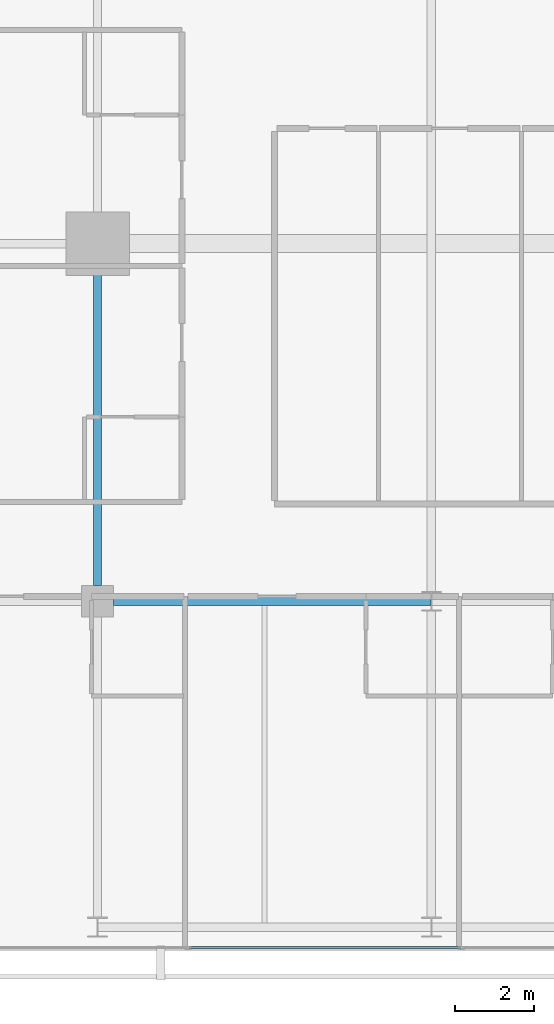
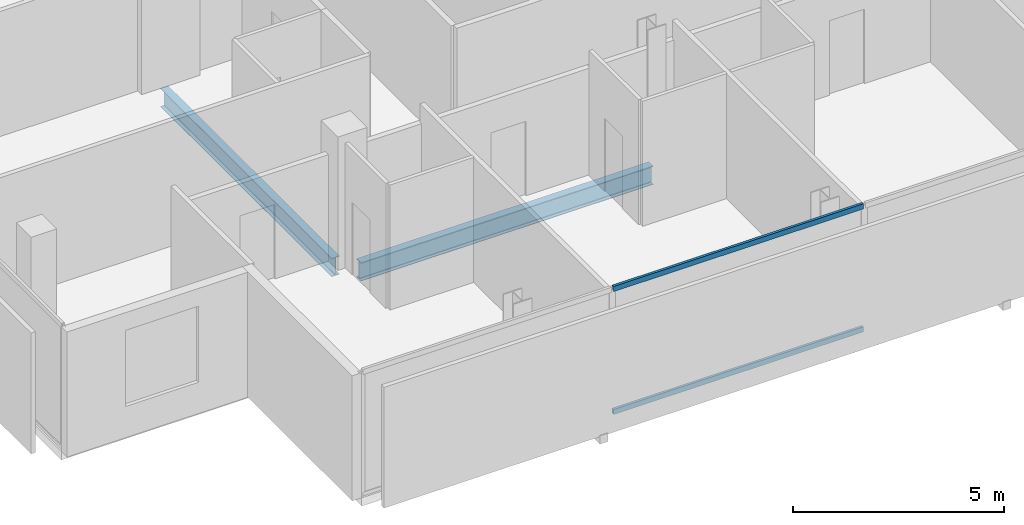
# One storey, part 5 of 25: 2 beams, 2 members, 1 element without a shape of its own.
"""IFC4 building model written with IfcOpenShell, lengths in metres."""

from ifc_helpers import new_model, si_unit, direction, frame, origin, origin_2d, place, context, subcontext, project, spatial, hollow_rectangle, i_section, extrude, material, layer, layer_set, material_profile, profile_set, type_object, element, aggregate, save


model = new_model("IFC4")

# Units and contexts
model_context = context("Model", 3, precision=1e-05, world=origin(), true_north=direction((0.0, 1.0)))
body_context = subcontext(model_context, "Body", "Model", "MODEL_VIEW")
ifc_project = project(units=[si_unit("LENGTHUNIT", "METRE"), si_unit("AREAUNIT", "SQUARE_METRE"), si_unit("VOLUMEUNIT", "CUBIC_METRE"), si_unit("PLANEANGLEUNIT", "RADIAN"), si_unit("MASSUNIT", "GRAM", prefix="KILO")], contexts=[model_context])

# Site, building, storey
site_placement = place(None, origin())
site = spatial("IfcSite", under=ifc_project, at=site_placement, CompositionType="ELEMENT")
building_placement = place(site_placement, origin())
building = spatial("IfcBuilding", under=site, at=building_placement, Name="Maruvema Waterfront Hotel and Observation Tower", CompositionType="ELEMENT")
storey_placement = place(building_placement, frame((0.0, 0.0, 262.5)))
storey = spatial("IfcBuildingStorey", under=building, at=storey_placement, Name="L64", CompositionType="ELEMENT", Elevation=262.5)

# Curtain wall, members
ifc_material_1 = material(Name="Anodised bronze aluminium and solar-control low-E IGU", Category="aluminium")
ifc_layer = layer(ifc_material_1, 0.159912109375, Name="Zone 3 Champagne Inner Thermal Curtain Wall System CW-04")
ifc_layer_set = layer_set([ifc_layer], Name="Anodised bronze aluminium and solar-control low-E IGU")
curtain_wall_type = type_object("IfcCurtainWallType", Name="Zone 3 Champagne Inner Thermal Curtain Wall System CW-04", PredefinedType="USERDEFINED", material=ifc_layer_set)
curtain_wall_placement = place(storey_placement, origin())
curtain_wall = element("IfcCurtainWall", 1, at=curtain_wall_placement, inside=storey, type_object=curtain_wall_type, Name="L64 Curtain Wall CW-L64-S", ObjectType="UNITISED CURTAIN WALL", PredefinedType="USERDEFINED")
ifc_material_2 = material(Name="Anodised architectural bronze aluminium", Category="aluminium")
ifc_material_profile_1 = material_profile(ifc_material_2, hollow_rectangle(XDim=0.070068359375, YDim=0.14990234375, WallThickness=0.00390625, at=origin_2d()), Name="ALU-T70x150")
ifc_profile_set_1 = profile_set([ifc_material_profile_1], Name="Anodised architectural bronze aluminium")
member_type = type_object("IfcMemberType", Name="Curtain Wall Horizontal Transom ALU-T70x150", PredefinedType="USERDEFINED", material=ifc_profile_set_1)
member_1_placement = place(storey_placement, frame((27.510009765625, 9.280029296875, 0.030029296875), z_axis=(1.0, 0.0, 0.0), x_axis=(0.0, 1.0, 0.0)))
member_1 = element("IfcMember", 2, at=member_1_placement, type_object=member_type, Name="CW-04 transom 2.1", ObjectType="TRANSOM", PredefinedType="USERDEFINED", context=body_context, shape_type="SweptSolid", body=[
    extrude(hollow_rectangle(XDim=0.070068359375, YDim=0.14990234375, WallThickness=0.00390625, at=origin_2d()), origin(), (0.0, 0.0, 1.0), 6.820068359375),
])
member_2_placement = place(storey_placement, frame((27.510009765625, 9.280029296875, 3.580078125), z_axis=(1.0, 0.0, 0.0), x_axis=(0.0, 1.0, 0.0)))
member_2 = element("IfcMember", 3, at=member_2_placement, type_object=member_type, Name="CW-04 transom 2.2", ObjectType="TRANSOM", PredefinedType="USERDEFINED", context=body_context, shape_type="SweptSolid", body=[
    extrude(hollow_rectangle(XDim=0.070068359375, YDim=0.14990234375, WallThickness=0.00390625, at=origin_2d()), origin(), (0.0, 0.0, 1.0), 6.820068359375),
])
aggregate(curtain_wall, [member_1, member_2])

# Beams
ifc_material_3 = material(Name="Steel ASTM A572 Grade 50", Category="steel")
ifc_material_profile_2 = material_profile(ifc_material_3, i_section(OverallWidth=0.208984375, OverallDepth=0.532958984375, WebThickness=0.01025390625, FlangeThickness=0.015625, FilletRadius=0.014892578125, at=origin_2d()), Name="W530x92.0")
ifc_profile_set_2 = profile_set([ifc_material_profile_2], Name="Steel ASTM A572 Grade 50")
beam_type = type_object("IfcBeamType", Name="Primary Floor Girder W530x92.0", PredefinedType="BEAM", material=ifc_profile_set_2)
beam_1_placement = place(storey_placement, frame((25.60009765625, 18.0, -0.506591796875), z_axis=(1.0, 0.0, 0.0), x_axis=(0.0, 1.0, 0.0)))
element("IfcBeam", 4, at=beam_1_placement, inside=storey, type_object=beam_type, Name="L64 Floor Girder EW-05", PredefinedType="BEAM", context=body_context, shape_type="SweptSolid", body=[
    extrude(i_section(OverallWidth=0.208984375, OverallDepth=0.532958984375, WebThickness=0.01025390625, FlangeThickness=0.015625, FilletRadius=0.014892578125, at=origin_2d()), origin(), (0.0, 0.0, 1.0), 7.989013671875),
])
beam_2_placement = place(storey_placement, frame((25.199951171875, 18.39990234375, -0.506591796875), z_axis=(0.0, 1.0, 0.0), x_axis=(-1.0, 0.0, 0.0)))
element("IfcBeam", 5, at=beam_2_placement, inside=storey, type_object=beam_type, Name="L64 Floor Girder NS-05", PredefinedType="BEAM", context=body_context, shape_type="SweptSolid", body=[
    extrude(i_section(OverallWidth=0.208984375, OverallDepth=0.532958984375, WebThickness=0.01025390625, FlangeThickness=0.015625, FilletRadius=0.014892578125, at=origin_2d()), origin(), (0.0, 0.0, 1.0), 8.10009765625),
])

save(model, "model.ifc")
